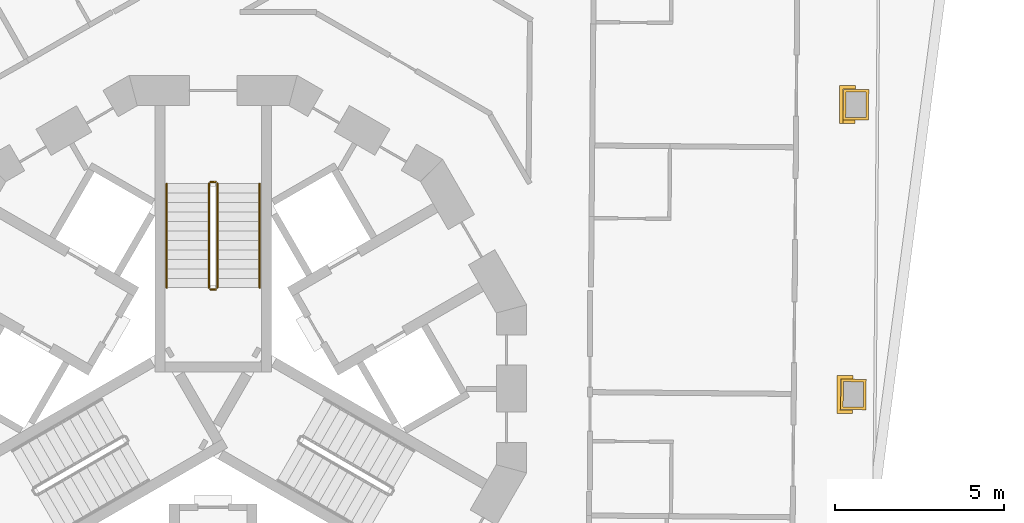
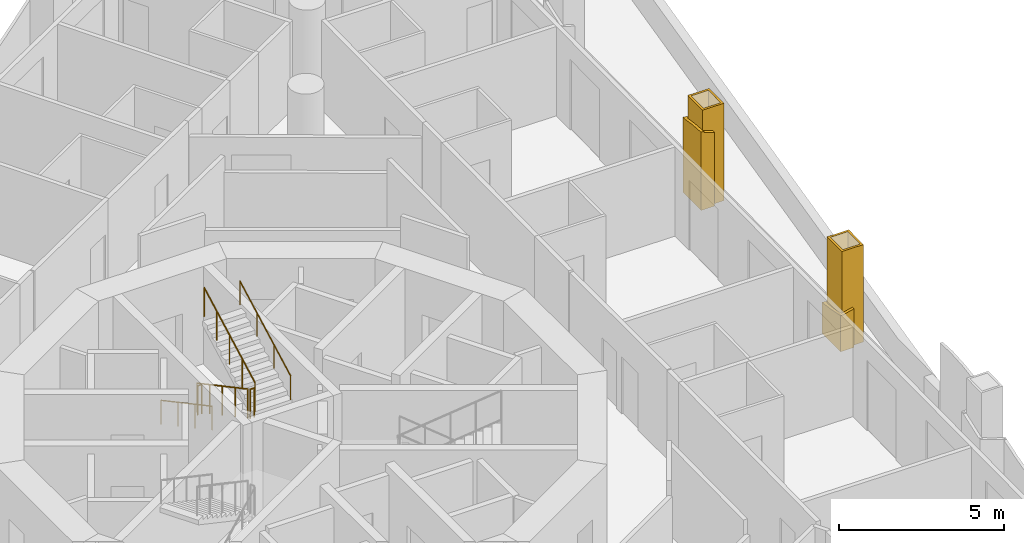
# One storey, part 16 of 18: 8 railings, 2 coverings.
"""IFC4 building model written with IfcOpenShell, lengths in metres."""

from ifc_helpers import new_model, si_unit, direction, frame, origin, origin_2d, place, context, subcontext, project, spatial, polyline, circle, outline, extrude, material, layer, layer_set, type_object, element, save


model = new_model("IFC4")

# Units and contexts
model_context = context("Model", 3, precision=1e-05, world=origin(), true_north=direction((0.0, 1.0)))
body_context = subcontext(model_context, "Body", "Model", "MODEL_VIEW")
ifc_project = project(units=[si_unit("LENGTHUNIT", "METRE"), si_unit("AREAUNIT", "SQUARE_METRE"), si_unit("VOLUMEUNIT", "CUBIC_METRE"), si_unit("PLANEANGLEUNIT", "RADIAN"), si_unit("MASSUNIT", "GRAM", prefix="KILO")], contexts=[model_context])

# Site, building, storey
site_placement = place(None, origin())
site = spatial("IfcSite", under=ifc_project, at=site_placement, CompositionType="ELEMENT")
building_placement = place(site_placement, origin())
building = spatial("IfcBuilding", under=site, at=building_placement, Name="Trine Commons Tower", CompositionType="ELEMENT")
storey_placement = place(building_placement, frame((0.0, 0.0, 161.10009765625)))
storey = spatial("IfcBuildingStorey", under=building, at=storey_placement, Name="L41", CompositionType="ELEMENT", Elevation=161.10009765625)

# Coverings
ifc_material_1 = material(Name="Limestone, honed", Category="masonry")
ifc_layer_1 = layer(ifc_material_1, 0.074951171875)
ifc_layer_set_1 = layer_set([ifc_layer_1], Name="Limestone, honed")
covering_type = type_object("IfcCoveringType", Name="Limestone column cladding 75", PredefinedType="CLADDING", material=ifc_layer_set_1)
covering_1_placement = place(storey_placement, origin())
element("IfcCovering", 1, at=covering_1_placement, inside=storey, type_object=covering_type, Name="Limestone pier cladding 5-17", PredefinedType="CLADDING", context=body_context, shape_type="SweptSolid", body=[
    extrude(outline(polyline([(99.390380859375, 71.351806640625), (98.640380859375, 71.3583984375), (98.6328125, 70.458251953125), (99.3828125, 70.45166015625), (99.390380859375, 71.351806640625)]), holes=[polyline([(99.31494140625, 71.27734375), (98.71484375, 71.28271484375), (98.708251953125, 70.53271484375), (99.308349609375, 70.52734375), (99.31494140625, 71.27734375)])]), origin(), (0.0, 0.0, 1.0), 3.599853515625),
])
covering_2_placement = place(storey_placement, origin())
element("IfcCovering", 2, at=covering_2_placement, inside=storey, type_object=covering_type, Name="Limestone pier cladding 5-18", PredefinedType="CLADDING", context=body_context, shape_type="SweptSolid", body=[
    extrude(outline(polyline([(99.315673828125, 62.781494140625), (98.565673828125, 62.7880859375), (98.557861328125, 61.887939453125), (99.307861328125, 61.88134765625), (99.315673828125, 62.781494140625)]), holes=[polyline([(99.239990234375, 62.70703125), (98.64013671875, 62.71240234375), (98.633544921875, 61.96240234375), (99.2333984375, 61.95703125), (99.239990234375, 62.70703125)])]), origin(), (0.0, 0.0, 1.0), 3.599853515625),
])

# Railings
ifc_material_2 = material(Name="Stainless steel balustrade", Category="steel")
railing_type_1 = type_object("IfcRailingType", Name="Stair guard, steel balustrade 1100", PredefinedType="GUARDRAIL", material=ifc_material_2)
railing_1_placement = place(storey_placement, frame((79.875, 68.570556640625, 0.14990234375)))
element("IfcRailing", 3, at=railing_1_placement, inside=storey, type_object=railing_type_1, Name="L41 ST1B stair guard 1", PredefinedType="GUARDRAIL", context=body_context, shape_type="SweptSolid", body=[
    extrude(circle(Radius=0.02392578125, at=origin_2d()), frame((0.0, 0.0, 1.076171875), z_axis=(0.0, -0.881496589024, 0.472190389079), x_axis=(1.0, 0.0, 0.0)), (0.0, 0.0, 1.0), 3.494140625),
    extrude(circle(Radius=0.02099609375, at=origin_2d()), origin(), (0.0, 0.0, 1.0), 1.052001953125),
    extrude(circle(Radius=0.02099609375, at=origin_2d()), frame((0.0, -0.77001953125, 0.41259765625)), (0.0, 0.0, 1.0), 1.052001953125),
    extrude(circle(Radius=0.02099609375, at=origin_2d()), frame((0.0, -1.5400390625, 0.824951171875)), (0.0, 0.0, 1.0), 1.052001953125),
    extrude(circle(Radius=0.02099609375, at=origin_2d()), frame((0.0, -2.31005859375, 1.2373046875)), (0.0, 0.0, 1.0), 1.052001953125),
    extrude(circle(Radius=0.02099609375, at=origin_2d()), frame((0.0, -3.080078125, 1.64990234375)), (0.0, 0.0, 1.0), 1.052001953125),
])
railing_2_placement = place(storey_placement, frame((79.925048828125, 65.440673828125, 1.7998046875)))
element("IfcRailing", 4, at=railing_2_placement, inside=storey, type_object=railing_type_1, Name="L41 ST1B stair guard 2", PredefinedType="GUARDRAIL", context=body_context, shape_type="SweptSolid", body=[
    extrude(circle(Radius=0.02392578125, at=origin_2d()), frame((0.0, 0.0, 1.076171875), z_axis=(1.0, 0.0, 0.0), x_axis=(0.0, 1.0, 0.0)), (0.0, 0.0, 1.0), 0.14990234375),
    extrude(circle(Radius=0.02099609375, at=origin_2d()), origin(), (0.0, 0.0, 1.0), 1.052001953125),
    extrude(circle(Radius=0.02099609375, at=origin_2d()), frame((0.14990234375, 0.0, 0.0)), (0.0, 0.0, 1.0), 1.052001953125),
])
railing_3_placement = place(storey_placement, frame((80.125, 65.490478515625, 1.949951171875)))
element("IfcRailing", 5, at=railing_3_placement, inside=storey, type_object=railing_type_1, Name="L41 ST1B stair guard 3", PredefinedType="GUARDRAIL", context=body_context, shape_type="SweptSolid", body=[
    extrude(circle(Radius=0.02392578125, at=origin_2d()), frame((0.0, 0.0, 1.076171875), z_axis=(0.0, 0.881496589024, 0.472190389079), x_axis=(-1.0, 0.0, 0.0)), (0.0, 0.0, 1.0), 3.494140625),
    extrude(circle(Radius=0.02099609375, at=origin_2d()), origin(), (0.0, 0.0, 1.0), 1.052001953125),
    extrude(circle(Radius=0.02099609375, at=origin_2d()), frame((0.0, 0.77001953125, 0.41259765625)), (0.0, 0.0, 1.0), 1.052001953125),
    extrude(circle(Radius=0.02099609375, at=origin_2d()), frame((0.0, 1.5400390625, 0.824951171875)), (0.0, 0.0, 1.0), 1.052001953125),
    extrude(circle(Radius=0.02099609375, at=origin_2d()), frame((0.0, 2.31005859375, 1.2373046875)), (0.0, 0.0, 1.0), 1.052001953125),
    extrude(circle(Radius=0.02099609375, at=origin_2d()), frame((0.0, 3.080078125, 1.64990234375)), (0.0, 0.0, 1.0), 1.052001953125),
])
railing_4_placement = place(storey_placement, frame((79.925048828125, 68.62060546875, 0.0)))
element("IfcRailing", 6, at=railing_4_placement, inside=storey, type_object=railing_type_1, Name="L41 ST1B stair guard 4", PredefinedType="GUARDRAIL", context=body_context, shape_type="SweptSolid", body=[
    extrude(circle(Radius=0.02392578125, at=origin_2d()), frame((0.0, 0.0, 1.076171875), z_axis=(1.0, 0.0, 0.0), x_axis=(0.0, 1.0, 0.0)), (0.0, 0.0, 1.0), 0.14990234375),
    extrude(circle(Radius=0.02099609375, at=origin_2d()), origin(), (0.0, 0.0, 1.0), 1.052001953125),
    extrude(circle(Radius=0.02099609375, at=origin_2d()), frame((0.14990234375, 0.0, 0.0)), (0.0, 0.0, 1.0), 1.052001953125),
])
ifc_material_3 = material(Name="Stainless steel handrail", Category="steel")
railing_type_2 = type_object("IfcRailingType", Name="Stair handrail, steel 900", PredefinedType="HANDRAIL", material=ifc_material_3)
railing_5_placement = place(storey_placement, frame((78.625, 68.570556640625, 0.14990234375)))
element("IfcRailing", 7, at=railing_5_placement, inside=storey, type_object=railing_type_2, Name="L41 ST1B stair handrail 1", PredefinedType="HANDRAIL", context=body_context, shape_type="SweptSolid", body=[
    extrude(circle(Radius=0.02099609375, at=origin_2d()), frame((0.0, 0.0, 0.87890625), z_axis=(0.0, -0.881496589024, 0.472190389079), x_axis=(1.0, 0.0, 0.0)), (0.0, 0.0, 1.0), 3.494140625),
    extrude(circle(Radius=0.01513671875, at=origin_2d()), origin(), (0.0, 0.0, 1.0), 0.85791015625),
    extrude(circle(Radius=0.01513671875, at=origin_2d()), frame((0.0, -1.026611328125, 0.550048828125)), (0.0, 0.0, 1.0), 0.85791015625),
    extrude(circle(Radius=0.01513671875, at=origin_2d()), frame((0.0, -2.053466796875, 1.099853515625)), (0.0, 0.0, 1.0), 0.85791015625),
    extrude(circle(Radius=0.01513671875, at=origin_2d()), frame((0.0, -3.080078125, 1.64990234375)), (0.0, 0.0, 1.0), 0.85791015625),
])
railing_6_placement = place(storey_placement, frame((81.375, 65.490478515625, 1.949951171875)))
element("IfcRailing", 8, at=railing_6_placement, inside=storey, type_object=railing_type_2, Name="L41 ST1B stair handrail 2", PredefinedType="HANDRAIL", context=body_context, shape_type="SweptSolid", body=[
    extrude(circle(Radius=0.02099609375, at=origin_2d()), frame((0.0, 0.0, 0.87890625), z_axis=(0.0, 0.881496589024, 0.472190389079), x_axis=(-1.0, 0.0, 0.0)), (0.0, 0.0, 1.0), 3.494140625),
    extrude(circle(Radius=0.01513671875, at=origin_2d()), origin(), (0.0, 0.0, 1.0), 0.85791015625),
    extrude(circle(Radius=0.01513671875, at=origin_2d()), frame((0.0, 1.026611328125, 0.550048828125)), (0.0, 0.0, 1.0), 0.85791015625),
    extrude(circle(Radius=0.01513671875, at=origin_2d()), frame((0.0, 2.053466796875, 1.099853515625)), (0.0, 0.0, 1.0), 0.85791015625),
    extrude(circle(Radius=0.01513671875, at=origin_2d()), frame((0.0, 3.080078125, 1.64990234375)), (0.0, 0.0, 1.0), 0.85791015625),
])
ifc_material_4 = material(Name="White powder-coated aluminium", Category="aluminium")
ifc_layer_2 = layer(ifc_material_4, 0.10009765625)
ifc_layer_set_2 = layer_set([ifc_layer_2], Name="White powder-coated aluminium")
railing_type_3 = type_object("IfcRailingType", Name="White balustrade band 100", PredefinedType="GUARDRAIL", material=ifc_layer_set_2)
railing_7_placement = place(storey_placement, origin())
element("IfcRailing", 9, at=railing_7_placement, inside=storey, type_object=railing_type_3, Name="Guard band L41 16", PredefinedType="GUARDRAIL", context=body_context, shape_type="SweptSolid", body=[
    extrude(outline(polyline([(0.0, 0.0), (0.46630859375, 0.0), (0.46630859375, 2.768310546875), (0.0, 2.669921875), (0.0, 0.0)])), frame((98.99560546875, 71.365234375, 0.0), z_axis=(0.008376669446, 0.999964915089, 0.0), x_axis=(-0.999964915089, 0.008376669446, 0.0)), (0.0, 0.0, 1.0), 0.10009765625),
    extrude(outline(polyline([(0.0, 0.0), (1.1220703125, 0.0), (1.1220703125, 2.890380859375), (0.56103515625, 2.840087890625), (0.0, 2.7490234375), (0.0, 0.0)])), frame((98.631591796875, 71.468994140625, 0.0), z_axis=(-0.999962129131, 0.008702890593, 0.0), x_axis=(-0.008702890593, -0.999962129131, 0.0)), (0.0, 0.0, 1.0), 0.10009765625),
    extrude(outline(polyline([(0.0, 0.0), (0.4658203125, 0.0), (0.4658203125, 2.730712890625), (0.0, 2.88427734375), (0.0, 0.0)])), frame((98.52197265625, 70.44921875, 0.0), z_axis=(-0.008385449405, -0.999964841501, 0.0), x_axis=(0.999964841501, -0.008385449405, 0.0)), (0.0, 0.0, 1.0), 0.10009765625),
])
railing_8_placement = place(storey_placement, origin())
element("IfcRailing", 10, at=railing_8_placement, inside=storey, type_object=railing_type_3, Name="Guard band L41 17", PredefinedType="GUARDRAIL", context=body_context, shape_type="SweptSolid", body=[
    extrude(outline(polyline([(0.0, 0.0), (0.466064453125, 0.0), (0.4658203125, 1.150390625), (0.0, 1.110595703125), (0.0, 0.0)])), frame((98.9208984375, 62.794921875, 0.0), z_axis=(0.008381057126, 0.999964878324, 0.0), x_axis=(-0.999964878324, 0.008381057126, 0.0)), (0.0, 0.0, 1.0), 0.10009765625),
    extrude(outline(polyline([(0.0, 0.0), (1.121337890625, 0.0), (1.12158203125, 1.333984375), (0.560791015625, 1.2177734375), (0.0, 1.139404296875), (0.0, 0.0)])), frame((98.556640625, 62.8984375, 0.0), z_axis=(-0.999963951861, 0.008490876143, 0.0), x_axis=(-0.008490876143, -0.999963951861, 0.0)), (0.0, 0.0, 1.0), 0.10009765625),
    extrude(outline(polyline([(0.0, 0.0), (0.465576171875, 0.0), (0.4658203125, 1.42724609375), (0.0, 1.310302734375), (0.0, 0.0)])), frame((98.447265625, 61.87890625, 0.0), z_axis=(-0.008389846289, -0.99996480462, 0.0), x_axis=(0.99996480462, -0.008389846289, 0.0)), (0.0, 0.0, 1.0), 0.10009765625),
])

save(model, "model.ifc")
